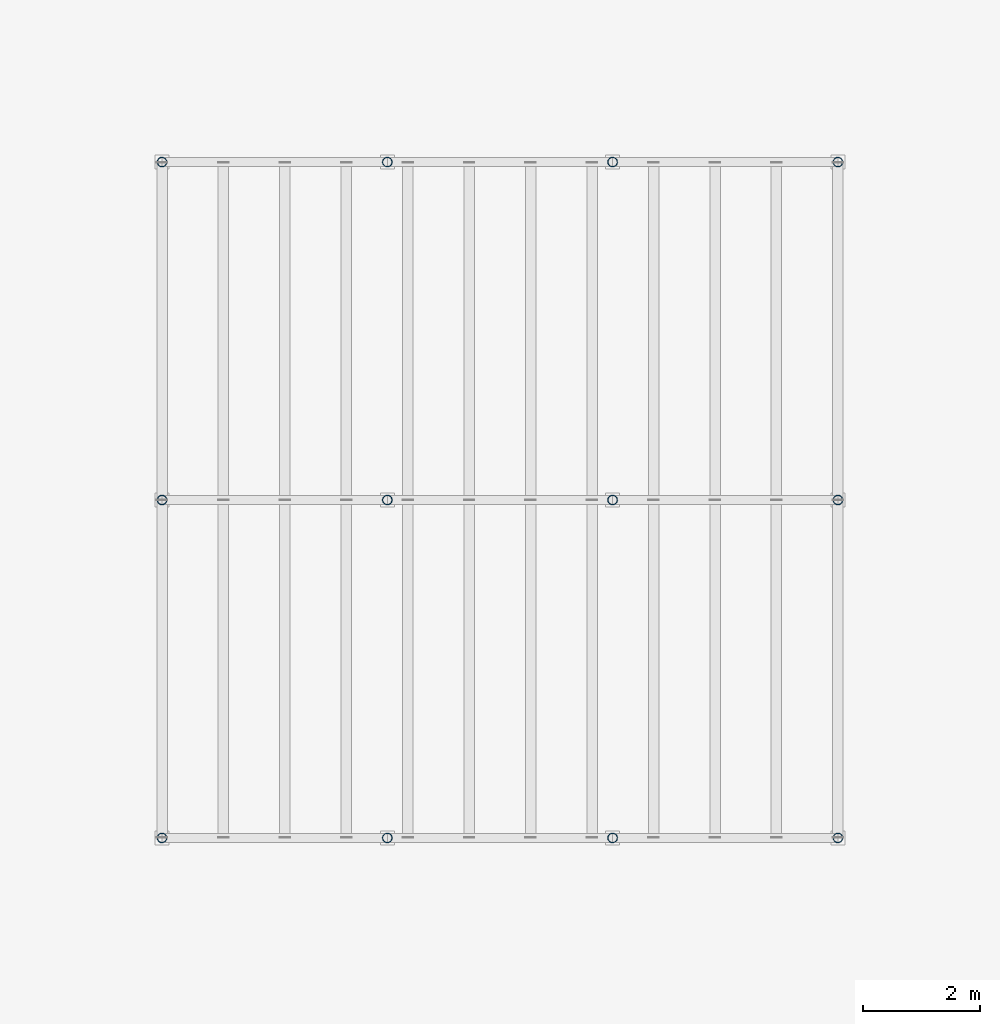
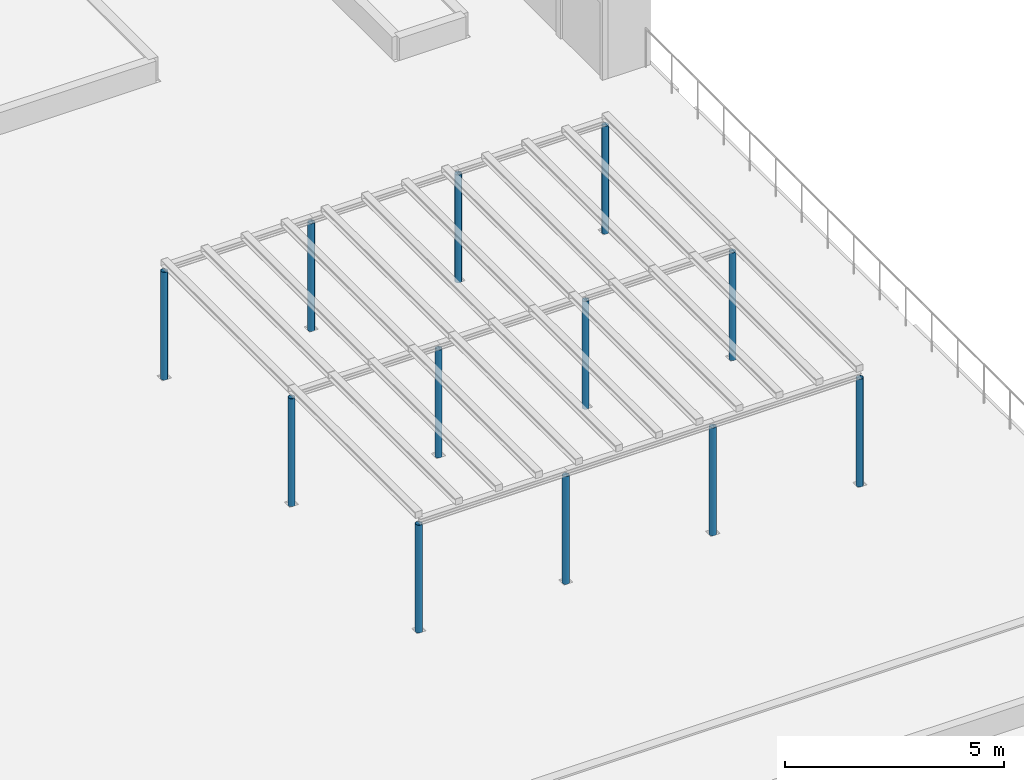
# One storey, part 2 of 28: 12 columns.
"""IFC4 building model written with IfcOpenShell, lengths in metres."""

from ifc_helpers import new_model, si_unit, direction, frame, origin, origin_2d, place, context, subcontext, project, spatial, hollow_circle, extrude, material, material_profile, profile_set, type_object, element, save


model = new_model("IFC4")

# Units and contexts
model_context = context("Model", 3, precision=1e-05, world=origin(), true_north=direction((0.0, 1.0)))
body_context = subcontext(model_context, "Body", "Model", "MODEL_VIEW")
ifc_project = project(units=[si_unit("LENGTHUNIT", "METRE"), si_unit("AREAUNIT", "SQUARE_METRE"), si_unit("VOLUMEUNIT", "CUBIC_METRE"), si_unit("PLANEANGLEUNIT", "RADIAN"), si_unit("MASSUNIT", "GRAM", prefix="KILO")], contexts=[model_context])

# Site, building, storey
site_placement = place(None, origin())
site = spatial("IfcSite", under=ifc_project, at=site_placement, CompositionType="ELEMENT")
building_placement = place(site_placement, origin())
building = spatial("IfcBuilding", under=site, at=building_placement, Name="Qaws Garden Tower", CompositionType="ELEMENT")
storey_placement = place(building_placement, frame((0.0, 0.0, 6.0)))
storey = spatial("IfcBuildingStorey", under=building, at=storey_placement, Name="L01", CompositionType="ELEMENT", Elevation=6.0)

# Columns
ifc_material = material(Name="Steel S355", Category="steel")
ifc_material_profile = material_profile(ifc_material, hollow_circle(Radius=0.084228515625, WallThickness=0.008056640625, at=origin_2d()), Name="Pergola post CHS 168")
ifc_profile_set = profile_set([ifc_material_profile], Name="Steel S355")
column_type = type_object("IfcColumnType", Name="Pergola post CHS 168", PredefinedType="COLUMN", material=ifc_profile_set)
for number, where, z_axis, x_axis, name in (
    (1, (84.199951171875, 44.199951171875, -0.0400390625), (0.0, 0.0, 1.0), (1.0, 0.0, 0.0), "Pergola 2 post 1.1"),
    (2, (88.066650390625, 44.199951171875, -0.0400390625), (0.0, 0.0, 1.0), (1.0, 0.0, 0.0), "Pergola 2 post 1.2"),
    (3, (91.933349609375, 44.199951171875, -0.0400390625), (0.0, 0.0, 1.0), (1.0, 0.0, 0.0), "Pergola 2 post 1.3"),
    (4, (95.800048828125, 44.199951171875, -0.0400390625), (0.0, 0.0, 1.0), (1.0, 0.0, 0.0), "Pergola 2 post 1.4"),
    (5, (84.199951171875, 50.0, -0.0400390625), (0.0, 0.0, 1.0), (1.0, 0.0, 0.0), "Pergola 2 post 2.1"),
    (6, (88.066650390625, 50.0, -0.0400390625), (0.0, 0.0, 1.0), (1.0, 0.0, 0.0), "Pergola 2 post 2.2"),
    (7, (91.933349609375, 50.0, -0.0400390625), (0.0, 0.0, 1.0), (1.0, 0.0, 0.0), "Pergola 2 post 2.3"),
    (8, (95.800048828125, 50.0, -0.0400390625), (0.0, 0.0, 1.0), (1.0, 0.0, 0.0), "Pergola 2 post 2.4"),
    (9, (84.199951171875, 55.800048828125, -0.0400390625), (0.0, 0.0, 1.0), (1.0, 0.0, 0.0), "Pergola 2 post 3.1"),
    (10, (88.066650390625, 55.800048828125, -0.0400390625), (0.0, 0.0, 1.0), (1.0, 0.0, 0.0), "Pergola 2 post 3.2"),
    (11, (91.933349609375, 55.800048828125, -0.0400390625), (0.0, 0.0, 1.0), (1.0, 0.0, 0.0), "Pergola 2 post 3.3"),
    (12, (95.800048828125, 55.800048828125, -0.0400390625), (0.0, 0.0, 1.0), (1.0, 0.0, 0.0), "Pergola 2 post 3.4"),
):
    element("IfcColumn", number, at=place(storey_placement, frame(where, z_axis=z_axis, x_axis=x_axis)), inside=storey, type_object=column_type, Name=name, PredefinedType="COLUMN", context=body_context, shape_type="SweptSolid", body=[
        extrude(hollow_circle(Radius=0.084228515625, WallThickness=0.008056640625, at=origin_2d()), origin(), (0.0, 0.0, 1.0), 3.0),
    ])

save(model, "model.ifc")
